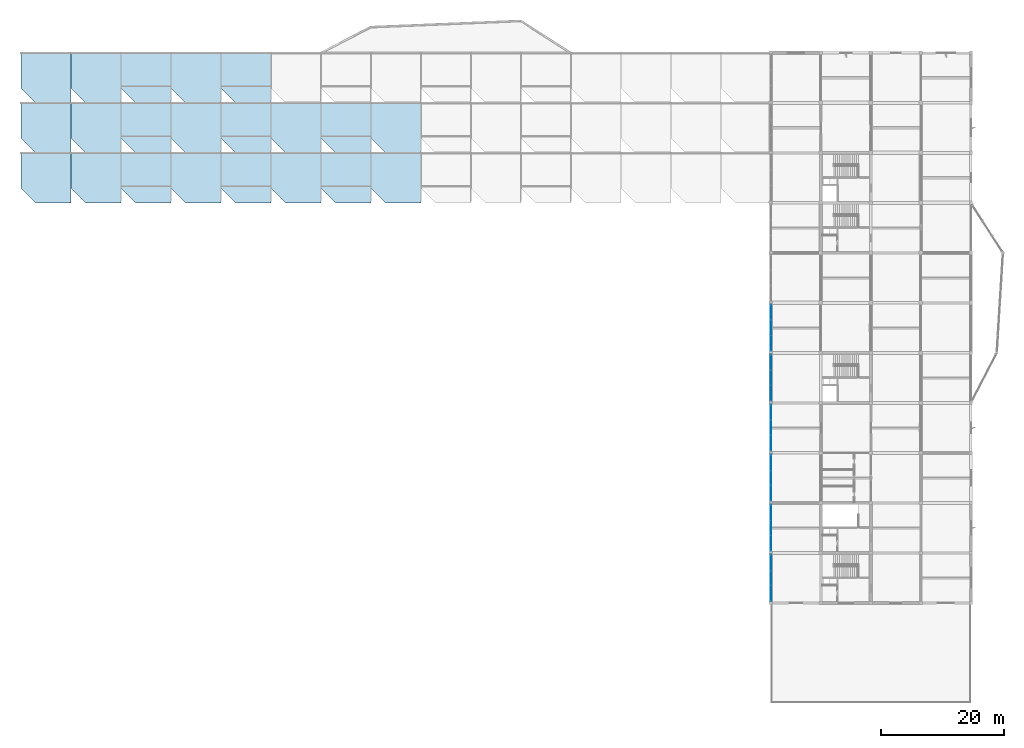
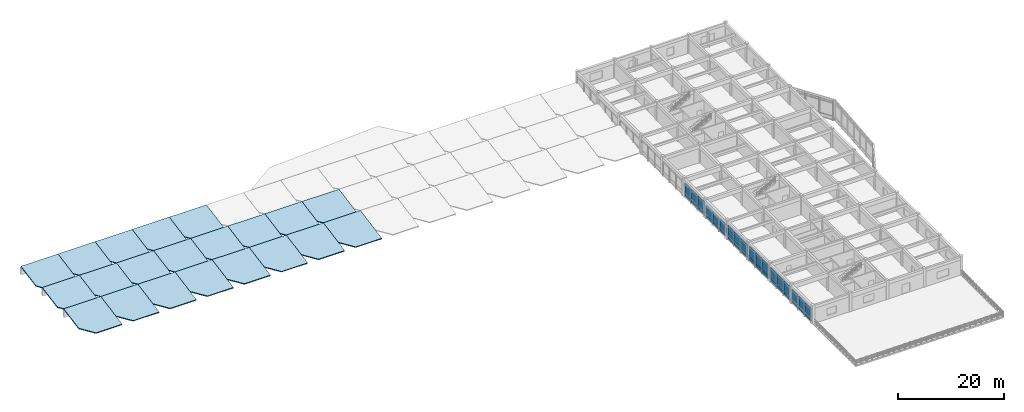
# One storey, part 22 of 33: 36 plates, 21 slabs, 6 elements without a shape of their own.
"""IFC4 building model written with IfcOpenShell, lengths in metres."""

from ifc_helpers import new_model, si_unit, direction, frame, origin, origin_2d, place, context, subcontext, project, spatial, polyline, rectangle, outline, extrude, material, layer, layer_set, type_object, element, aggregate, save


model = new_model("IFC4")

# Units and contexts
model_context = context("Model", 3, precision=1e-05, world=origin(), true_north=direction((0.0, 1.0)))
body_context = subcontext(model_context, "Body", "Model", "MODEL_VIEW")
ifc_project = project(units=[si_unit("LENGTHUNIT", "METRE"), si_unit("AREAUNIT", "SQUARE_METRE"), si_unit("VOLUMEUNIT", "CUBIC_METRE"), si_unit("PLANEANGLEUNIT", "RADIAN"), si_unit("MASSUNIT", "GRAM", prefix="KILO")], contexts=[model_context])

# Site, building, storey
site_placement = place(None, origin())
site = spatial("IfcSite", under=ifc_project, at=site_placement, CompositionType="ELEMENT")
building_placement = place(site_placement, origin())
building = spatial("IfcBuilding", under=site, at=building_placement, Name="Vaudrelin Polytechnic", CompositionType="ELEMENT")
storey_placement = place(building_placement, frame((0.0, 0.0, 27.3701171875)))
storey = spatial("IfcBuildingStorey", under=building, at=storey_placement, Name="L06", CompositionType="ELEMENT", Elevation=27.3701171875)

# Curtain wall, plates
ifc_material_1 = material(Name="Thermally broken anodised aluminium AA 6063-T6 and low-e triple glazing", Category="aluminium")
ifc_layer_1 = layer(ifc_material_1, 0.199951171875)
ifc_layer_set_1 = layer_set([ifc_layer_1], Name="Thermally broken anodised aluminium AA 6063-T6 and low-e triple glazing")
curtain_wall_type = type_object("IfcCurtainWallType", Name="CW-CW-LAB", PredefinedType="USERDEFINED", material=ifc_layer_set_1)
curtain_wall_1_placement = place(storey_placement, origin())
curtain_wall_1 = element("IfcCurtainWall", 1, at=curtain_wall_1_placement, inside=storey, type_object=curtain_wall_type, Name="Curtain wall L06 W_V4_00", ObjectType="CURTAIN WALL", PredefinedType="USERDEFINED")
ifc_material_2 = material(Name="Insulated ceramic-frit spandrel glass panel", Category="glass")
ifc_layer_2 = layer(ifc_material_2, 0.052001953125)
ifc_layer_set_2 = layer_set([ifc_layer_2], Name="Insulated ceramic-frit spandrel glass panel")
plate_type_1 = type_object("IfcPlateType", Name="PLT-GLZ-SPAND", PredefinedType="CURTAIN_PANEL", material=ifc_layer_set_2)
plate_1_placement = place(storey_placement, frame((137.699951171875, 33.931884765625, 0.08984375), z_axis=(0.0, 0.0, 1.0), x_axis=(0.0, 1.0, 0.0)))
plate_1 = element("IfcPlate", 2, at=plate_1_placement, type_object=plate_type_1, Name="W_V4_00 spandrel panel 1", PredefinedType="CURTAIN_PANEL", context=body_context, shape_type="SweptSolid", body=[
    extrude(rectangle(XDim=2.41796875, YDim=0.052001953125, at=origin_2d()), origin(), (0.0, 0.0, 1.0), 0.699951171875),
])
plate_2_placement = place(storey_placement, frame((137.699951171875, 36.449951171875, 0.08984375), z_axis=(0.0, 0.0, 1.0), x_axis=(0.0, 1.0, 0.0)))
plate_2 = element("IfcPlate", 3, at=plate_2_placement, type_object=plate_type_1, Name="W_V4_00 spandrel panel 2", PredefinedType="CURTAIN_PANEL", context=body_context, shape_type="SweptSolid", body=[
    extrude(rectangle(XDim=2.41796875, YDim=0.052001953125, at=origin_2d()), origin(), (0.0, 0.0, 1.0), 0.699951171875),
])
plate_3_placement = place(storey_placement, frame((137.699951171875, 38.968017578125, 0.08984375), z_axis=(0.0, 0.0, 1.0), x_axis=(0.0, 1.0, 0.0)))
plate_3 = element("IfcPlate", 4, at=plate_3_placement, type_object=plate_type_1, Name="W_V4_00 spandrel panel 3", PredefinedType="CURTAIN_PANEL", context=body_context, shape_type="SweptSolid", body=[
    extrude(rectangle(XDim=2.41796875, YDim=0.052001953125, at=origin_2d()), origin(), (0.0, 0.0, 1.0), 0.699951171875),
])

curtain_wall_2_placement = place(storey_placement, origin())
curtain_wall_2 = element("IfcCurtainWall", 5, at=curtain_wall_2_placement, inside=storey, type_object=curtain_wall_type, Name="Curtain wall L06 W_V4_01", ObjectType="CURTAIN WALL", PredefinedType="USERDEFINED")
plate_4_placement = place(storey_placement, frame((137.699951171875, 42.031982421875, 0.08984375), z_axis=(0.0, 0.0, 1.0), x_axis=(0.0, 1.0, 0.0)))
plate_4 = element("IfcPlate", 6, at=plate_4_placement, type_object=plate_type_1, Name="W_V4_01 spandrel panel 1", PredefinedType="CURTAIN_PANEL", context=body_context, shape_type="SweptSolid", body=[
    extrude(rectangle(XDim=2.41796875, YDim=0.052001953125, at=origin_2d()), origin(), (0.0, 0.0, 1.0), 0.699951171875),
])
plate_5_placement = place(storey_placement, frame((137.699951171875, 44.550048828125, 0.08984375), z_axis=(0.0, 0.0, 1.0), x_axis=(0.0, 1.0, 0.0)))
plate_5 = element("IfcPlate", 7, at=plate_5_placement, type_object=plate_type_1, Name="W_V4_01 spandrel panel 2", PredefinedType="CURTAIN_PANEL", context=body_context, shape_type="SweptSolid", body=[
    extrude(rectangle(XDim=2.41796875, YDim=0.052001953125, at=origin_2d()), origin(), (0.0, 0.0, 1.0), 0.699951171875),
])
plate_6_placement = place(storey_placement, frame((137.699951171875, 47.068115234375, 0.08984375), z_axis=(0.0, 0.0, 1.0), x_axis=(0.0, 1.0, 0.0)))
plate_6 = element("IfcPlate", 8, at=plate_6_placement, type_object=plate_type_1, Name="W_V4_01 spandrel panel 3", PredefinedType="CURTAIN_PANEL", context=body_context, shape_type="SweptSolid", body=[
    extrude(rectangle(XDim=2.41796875, YDim=0.052001953125, at=origin_2d()), origin(), (0.0, 0.0, 1.0), 0.699951171875),
])

curtain_wall_3_placement = place(storey_placement, origin())
curtain_wall_3 = element("IfcCurtainWall", 9, at=curtain_wall_3_placement, inside=storey, type_object=curtain_wall_type, Name="Curtain wall L06 W_V4_02", ObjectType="CURTAIN WALL", PredefinedType="USERDEFINED")
plate_7_placement = place(storey_placement, frame((137.699951171875, 50.132080078125, 0.08984375), z_axis=(0.0, 0.0, 1.0), x_axis=(0.0, 1.0, 0.0)))
plate_7 = element("IfcPlate", 10, at=plate_7_placement, type_object=plate_type_1, Name="W_V4_02 spandrel panel 1", PredefinedType="CURTAIN_PANEL", context=body_context, shape_type="SweptSolid", body=[
    extrude(rectangle(XDim=2.41796875, YDim=0.052001953125, at=origin_2d()), origin(), (0.0, 0.0, 1.0), 0.699951171875),
])
plate_8_placement = place(storey_placement, frame((137.699951171875, 52.64990234375, 0.08984375), z_axis=(0.0, 0.0, 1.0), x_axis=(0.0, 1.0, 0.0)))
plate_8 = element("IfcPlate", 11, at=plate_8_placement, type_object=plate_type_1, Name="W_V4_02 spandrel panel 2", PredefinedType="CURTAIN_PANEL", context=body_context, shape_type="SweptSolid", body=[
    extrude(rectangle(XDim=2.41796875, YDim=0.052001953125, at=origin_2d()), origin(), (0.0, 0.0, 1.0), 0.699951171875),
])
plate_9_placement = place(storey_placement, frame((137.699951171875, 55.16796875, 0.08984375), z_axis=(0.0, 0.0, 1.0), x_axis=(0.0, 1.0, 0.0)))
plate_9 = element("IfcPlate", 12, at=plate_9_placement, type_object=plate_type_1, Name="W_V4_02 spandrel panel 3", PredefinedType="CURTAIN_PANEL", context=body_context, shape_type="SweptSolid", body=[
    extrude(rectangle(XDim=2.41796875, YDim=0.052001953125, at=origin_2d()), origin(), (0.0, 0.0, 1.0), 0.699951171875),
])

curtain_wall_4_placement = place(storey_placement, origin())
curtain_wall_4 = element("IfcCurtainWall", 13, at=curtain_wall_4_placement, inside=storey, type_object=curtain_wall_type, Name="Curtain wall L06 W_V4_03", ObjectType="CURTAIN WALL", PredefinedType="USERDEFINED")
plate_10_placement = place(storey_placement, frame((137.699951171875, 58.23193359375, 0.08984375), z_axis=(0.0, 0.0, 1.0), x_axis=(0.0, 1.0, 0.0)))
plate_10 = element("IfcPlate", 14, at=plate_10_placement, type_object=plate_type_1, Name="W_V4_03 spandrel panel 1", PredefinedType="CURTAIN_PANEL", context=body_context, shape_type="SweptSolid", body=[
    extrude(rectangle(XDim=2.41796875, YDim=0.052001953125, at=origin_2d()), origin(), (0.0, 0.0, 1.0), 0.699951171875),
])
plate_11_placement = place(storey_placement, frame((137.699951171875, 60.75, 0.08984375), z_axis=(0.0, 0.0, 1.0), x_axis=(0.0, 1.0, 0.0)))
plate_11 = element("IfcPlate", 15, at=plate_11_placement, type_object=plate_type_1, Name="W_V4_03 spandrel panel 2", PredefinedType="CURTAIN_PANEL", context=body_context, shape_type="SweptSolid", body=[
    extrude(rectangle(XDim=2.41796875, YDim=0.052001953125, at=origin_2d()), origin(), (0.0, 0.0, 1.0), 0.699951171875),
])
plate_12_placement = place(storey_placement, frame((137.699951171875, 63.26806640625, 0.08984375), z_axis=(0.0, 0.0, 1.0), x_axis=(0.0, 1.0, 0.0)))
plate_12 = element("IfcPlate", 16, at=plate_12_placement, type_object=plate_type_1, Name="W_V4_03 spandrel panel 3", PredefinedType="CURTAIN_PANEL", context=body_context, shape_type="SweptSolid", body=[
    extrude(rectangle(XDim=2.41796875, YDim=0.052001953125, at=origin_2d()), origin(), (0.0, 0.0, 1.0), 0.699951171875),
])

curtain_wall_5_placement = place(storey_placement, origin())
curtain_wall_5 = element("IfcCurtainWall", 17, at=curtain_wall_5_placement, inside=storey, type_object=curtain_wall_type, Name="Curtain wall L06 W_V4_04", ObjectType="CURTAIN WALL", PredefinedType="USERDEFINED")
plate_13_placement = place(storey_placement, frame((137.699951171875, 66.33203125, 0.08984375), z_axis=(0.0, 0.0, 1.0), x_axis=(0.0, 1.0, 0.0)))
plate_13 = element("IfcPlate", 18, at=plate_13_placement, type_object=plate_type_1, Name="W_V4_04 spandrel panel 1", PredefinedType="CURTAIN_PANEL", context=body_context, shape_type="SweptSolid", body=[
    extrude(rectangle(XDim=2.41796875, YDim=0.052001953125, at=origin_2d()), origin(), (0.0, 0.0, 1.0), 0.699951171875),
])
plate_14_placement = place(storey_placement, frame((137.699951171875, 68.85009765625, 0.08984375), z_axis=(0.0, 0.0, 1.0), x_axis=(0.0, 1.0, 0.0)))
plate_14 = element("IfcPlate", 19, at=plate_14_placement, type_object=plate_type_1, Name="W_V4_04 spandrel panel 2", PredefinedType="CURTAIN_PANEL", context=body_context, shape_type="SweptSolid", body=[
    extrude(rectangle(XDim=2.41796875, YDim=0.052001953125, at=origin_2d()), origin(), (0.0, 0.0, 1.0), 0.699951171875),
])
plate_15_placement = place(storey_placement, frame((137.699951171875, 71.367919921875, 0.08984375), z_axis=(0.0, 0.0, 1.0), x_axis=(0.0, 1.0, 0.0)))
plate_15 = element("IfcPlate", 20, at=plate_15_placement, type_object=plate_type_1, Name="W_V4_04 spandrel panel 3", PredefinedType="CURTAIN_PANEL", context=body_context, shape_type="SweptSolid", body=[
    extrude(rectangle(XDim=2.41796875, YDim=0.052001953125, at=origin_2d()), origin(), (0.0, 0.0, 1.0), 0.699951171875),
])

curtain_wall_6_placement = place(storey_placement, origin())
curtain_wall_6 = element("IfcCurtainWall", 21, at=curtain_wall_6_placement, inside=storey, type_object=curtain_wall_type, Name="Curtain wall L06 W_V4_05", ObjectType="CURTAIN WALL", PredefinedType="USERDEFINED")
plate_16_placement = place(storey_placement, frame((137.699951171875, 74.431884765625, 0.08984375), z_axis=(0.0, 0.0, 1.0), x_axis=(0.0, 1.0, 0.0)))
plate_16 = element("IfcPlate", 22, at=plate_16_placement, type_object=plate_type_1, Name="W_V4_05 spandrel panel 1", PredefinedType="CURTAIN_PANEL", context=body_context, shape_type="SweptSolid", body=[
    extrude(rectangle(XDim=2.41796875, YDim=0.052001953125, at=origin_2d()), origin(), (0.0, 0.0, 1.0), 0.699951171875),
])
plate_17_placement = place(storey_placement, frame((137.699951171875, 76.949951171875, 0.08984375), z_axis=(0.0, 0.0, 1.0), x_axis=(0.0, 1.0, 0.0)))
plate_17 = element("IfcPlate", 23, at=plate_17_placement, type_object=plate_type_1, Name="W_V4_05 spandrel panel 2", PredefinedType="CURTAIN_PANEL", context=body_context, shape_type="SweptSolid", body=[
    extrude(rectangle(XDim=2.41796875, YDim=0.052001953125, at=origin_2d()), origin(), (0.0, 0.0, 1.0), 0.699951171875),
])
plate_18_placement = place(storey_placement, frame((137.699951171875, 79.468017578125, 0.08984375), z_axis=(0.0, 0.0, 1.0), x_axis=(0.0, 1.0, 0.0)))
plate_18 = element("IfcPlate", 24, at=plate_18_placement, type_object=plate_type_1, Name="W_V4_05 spandrel panel 3", PredefinedType="CURTAIN_PANEL", context=body_context, shape_type="SweptSolid", body=[
    extrude(rectangle(XDim=2.41796875, YDim=0.052001953125, at=origin_2d()), origin(), (0.0, 0.0, 1.0), 0.699951171875),
])

# Plate
ifc_material_3 = material(Name="Triple low-e argon insulated glazing unit", Category="glass")
ifc_layer_3 = layer(ifc_material_3, 0.0439453125)
ifc_layer_set_3 = layer_set([ifc_layer_3], Name="Triple low-e argon insulated glazing unit")
plate_type_2 = type_object("IfcPlateType", Name="PLT-GLZ-TRIPLE", PredefinedType="CURTAIN_PANEL", material=ifc_layer_set_3)
plate_19_placement = place(storey_placement, frame((137.699951171875, 33.931884765625, 0.89990234375), z_axis=(0.0, 0.0, 1.0), x_axis=(0.0, 1.0, 0.0)))
plate_19 = element("IfcPlate", 25, at=plate_19_placement, type_object=plate_type_2, Name="W_V4_00 vision panel 1", PredefinedType="CURTAIN_PANEL", context=body_context, shape_type="SweptSolid", body=[
    extrude(rectangle(XDim=2.41796875, YDim=0.0439453125, at=origin_2d()), origin(), (0.0, 0.0, 1.0), 2.412109375),
])

plate_20_placement = place(storey_placement, frame((137.699951171875, 36.449951171875, 0.89990234375), z_axis=(0.0, 0.0, 1.0), x_axis=(0.0, 1.0, 0.0)))
plate_20 = element("IfcPlate", 26, at=plate_20_placement, type_object=plate_type_2, Name="W_V4_00 vision panel 2", PredefinedType="CURTAIN_PANEL", context=body_context, shape_type="SweptSolid", body=[
    extrude(rectangle(XDim=2.41796875, YDim=0.0439453125, at=origin_2d()), origin(), (0.0, 0.0, 1.0), 2.412109375),
])

plate_21_placement = place(storey_placement, frame((137.699951171875, 38.968017578125, 0.89990234375), z_axis=(0.0, 0.0, 1.0), x_axis=(0.0, 1.0, 0.0)))
plate_21 = element("IfcPlate", 27, at=plate_21_placement, type_object=plate_type_2, Name="W_V4_00 vision panel 3", PredefinedType="CURTAIN_PANEL", context=body_context, shape_type="SweptSolid", body=[
    extrude(rectangle(XDim=2.41796875, YDim=0.0439453125, at=origin_2d()), origin(), (0.0, 0.0, 1.0), 2.412109375),
])

aggregate(curtain_wall_1, [plate_1, plate_19, plate_2, plate_20, plate_3, plate_21])

plate_22_placement = place(storey_placement, frame((137.699951171875, 42.031982421875, 0.89990234375), z_axis=(0.0, 0.0, 1.0), x_axis=(0.0, 1.0, 0.0)))
plate_22 = element("IfcPlate", 28, at=plate_22_placement, type_object=plate_type_2, Name="W_V4_01 vision panel 1", PredefinedType="CURTAIN_PANEL", context=body_context, shape_type="SweptSolid", body=[
    extrude(rectangle(XDim=2.41796875, YDim=0.0439453125, at=origin_2d()), origin(), (0.0, 0.0, 1.0), 2.511962890625),
])

plate_23_placement = place(storey_placement, frame((137.699951171875, 44.550048828125, 0.89990234375), z_axis=(0.0, 0.0, 1.0), x_axis=(0.0, 1.0, 0.0)))
plate_23 = element("IfcPlate", 29, at=plate_23_placement, type_object=plate_type_2, Name="W_V4_01 vision panel 2", PredefinedType="CURTAIN_PANEL", context=body_context, shape_type="SweptSolid", body=[
    extrude(rectangle(XDim=2.41796875, YDim=0.0439453125, at=origin_2d()), origin(), (0.0, 0.0, 1.0), 2.511962890625),
])

plate_24_placement = place(storey_placement, frame((137.699951171875, 47.068115234375, 0.89990234375), z_axis=(0.0, 0.0, 1.0), x_axis=(0.0, 1.0, 0.0)))
plate_24 = element("IfcPlate", 30, at=plate_24_placement, type_object=plate_type_2, Name="W_V4_01 vision panel 3", PredefinedType="CURTAIN_PANEL", context=body_context, shape_type="SweptSolid", body=[
    extrude(rectangle(XDim=2.41796875, YDim=0.0439453125, at=origin_2d()), origin(), (0.0, 0.0, 1.0), 2.511962890625),
])

aggregate(curtain_wall_2, [plate_4, plate_22, plate_5, plate_23, plate_6, plate_24])

plate_25_placement = place(storey_placement, frame((137.699951171875, 50.132080078125, 0.89990234375), z_axis=(0.0, 0.0, 1.0), x_axis=(0.0, 1.0, 0.0)))
plate_25 = element("IfcPlate", 31, at=plate_25_placement, type_object=plate_type_2, Name="W_V4_02 vision panel 1", PredefinedType="CURTAIN_PANEL", context=body_context, shape_type="SweptSolid", body=[
    extrude(rectangle(XDim=2.41796875, YDim=0.0439453125, at=origin_2d()), origin(), (0.0, 0.0, 1.0), 2.56201171875),
])

plate_26_placement = place(storey_placement, frame((137.699951171875, 52.64990234375, 0.89990234375), z_axis=(0.0, 0.0, 1.0), x_axis=(0.0, 1.0, 0.0)))
plate_26 = element("IfcPlate", 32, at=plate_26_placement, type_object=plate_type_2, Name="W_V4_02 vision panel 2", PredefinedType="CURTAIN_PANEL", context=body_context, shape_type="SweptSolid", body=[
    extrude(rectangle(XDim=2.41796875, YDim=0.0439453125, at=origin_2d()), origin(), (0.0, 0.0, 1.0), 2.56201171875),
])

plate_27_placement = place(storey_placement, frame((137.699951171875, 55.16796875, 0.89990234375), z_axis=(0.0, 0.0, 1.0), x_axis=(0.0, 1.0, 0.0)))
plate_27 = element("IfcPlate", 33, at=plate_27_placement, type_object=plate_type_2, Name="W_V4_02 vision panel 3", PredefinedType="CURTAIN_PANEL", context=body_context, shape_type="SweptSolid", body=[
    extrude(rectangle(XDim=2.41796875, YDim=0.0439453125, at=origin_2d()), origin(), (0.0, 0.0, 1.0), 2.56201171875),
])

aggregate(curtain_wall_3, [plate_7, plate_25, plate_8, plate_26, plate_9, plate_27])

plate_28_placement = place(storey_placement, frame((137.699951171875, 58.23193359375, 0.89990234375), z_axis=(0.0, 0.0, 1.0), x_axis=(0.0, 1.0, 0.0)))
plate_28 = element("IfcPlate", 34, at=plate_28_placement, type_object=plate_type_2, Name="W_V4_03 vision panel 1", PredefinedType="CURTAIN_PANEL", context=body_context, shape_type="SweptSolid", body=[
    extrude(rectangle(XDim=2.41796875, YDim=0.0439453125, at=origin_2d()), origin(), (0.0, 0.0, 1.0), 2.511962890625),
])

plate_29_placement = place(storey_placement, frame((137.699951171875, 60.75, 0.89990234375), z_axis=(0.0, 0.0, 1.0), x_axis=(0.0, 1.0, 0.0)))
plate_29 = element("IfcPlate", 35, at=plate_29_placement, type_object=plate_type_2, Name="W_V4_03 vision panel 2", PredefinedType="CURTAIN_PANEL", context=body_context, shape_type="SweptSolid", body=[
    extrude(rectangle(XDim=2.41796875, YDim=0.0439453125, at=origin_2d()), origin(), (0.0, 0.0, 1.0), 2.511962890625),
])

plate_30_placement = place(storey_placement, frame((137.699951171875, 63.26806640625, 0.89990234375), z_axis=(0.0, 0.0, 1.0), x_axis=(0.0, 1.0, 0.0)))
plate_30 = element("IfcPlate", 36, at=plate_30_placement, type_object=plate_type_2, Name="W_V4_03 vision panel 3", PredefinedType="CURTAIN_PANEL", context=body_context, shape_type="SweptSolid", body=[
    extrude(rectangle(XDim=2.41796875, YDim=0.0439453125, at=origin_2d()), origin(), (0.0, 0.0, 1.0), 2.511962890625),
])

aggregate(curtain_wall_4, [plate_10, plate_28, plate_11, plate_29, plate_12, plate_30])

plate_31_placement = place(storey_placement, frame((137.699951171875, 66.33203125, 0.89990234375), z_axis=(0.0, 0.0, 1.0), x_axis=(0.0, 1.0, 0.0)))
plate_31 = element("IfcPlate", 37, at=plate_31_placement, type_object=plate_type_2, Name="W_V4_04 vision panel 1", PredefinedType="CURTAIN_PANEL", context=body_context, shape_type="SweptSolid", body=[
    extrude(rectangle(XDim=2.41796875, YDim=0.0439453125, at=origin_2d()), origin(), (0.0, 0.0, 1.0), 2.2119140625),
])

plate_32_placement = place(storey_placement, frame((137.699951171875, 68.85009765625, 0.89990234375), z_axis=(0.0, 0.0, 1.0), x_axis=(0.0, 1.0, 0.0)))
plate_32 = element("IfcPlate", 38, at=plate_32_placement, type_object=plate_type_2, Name="W_V4_04 vision panel 2", PredefinedType="CURTAIN_PANEL", context=body_context, shape_type="SweptSolid", body=[
    extrude(rectangle(XDim=2.41796875, YDim=0.0439453125, at=origin_2d()), origin(), (0.0, 0.0, 1.0), 2.2119140625),
])

plate_33_placement = place(storey_placement, frame((137.699951171875, 71.367919921875, 0.89990234375), z_axis=(0.0, 0.0, 1.0), x_axis=(0.0, 1.0, 0.0)))
plate_33 = element("IfcPlate", 39, at=plate_33_placement, type_object=plate_type_2, Name="W_V4_04 vision panel 3", PredefinedType="CURTAIN_PANEL", context=body_context, shape_type="SweptSolid", body=[
    extrude(rectangle(XDim=2.41796875, YDim=0.0439453125, at=origin_2d()), origin(), (0.0, 0.0, 1.0), 2.2119140625),
])

aggregate(curtain_wall_5, [plate_13, plate_31, plate_14, plate_32, plate_15, plate_33])

plate_34_placement = place(storey_placement, frame((137.699951171875, 74.431884765625, 0.89990234375), z_axis=(0.0, 0.0, 1.0), x_axis=(0.0, 1.0, 0.0)))
plate_34 = element("IfcPlate", 40, at=plate_34_placement, type_object=plate_type_2, Name="W_V4_05 vision panel 1", PredefinedType="CURTAIN_PANEL", context=body_context, shape_type="SweptSolid", body=[
    extrude(rectangle(XDim=2.41796875, YDim=0.0439453125, at=origin_2d()), origin(), (0.0, 0.0, 1.0), 2.412109375),
])

plate_35_placement = place(storey_placement, frame((137.699951171875, 76.949951171875, 0.89990234375), z_axis=(0.0, 0.0, 1.0), x_axis=(0.0, 1.0, 0.0)))
plate_35 = element("IfcPlate", 41, at=plate_35_placement, type_object=plate_type_2, Name="W_V4_05 vision panel 2", PredefinedType="CURTAIN_PANEL", context=body_context, shape_type="SweptSolid", body=[
    extrude(rectangle(XDim=2.41796875, YDim=0.0439453125, at=origin_2d()), origin(), (0.0, 0.0, 1.0), 2.412109375),
])

plate_36_placement = place(storey_placement, frame((137.699951171875, 79.468017578125, 0.89990234375), z_axis=(0.0, 0.0, 1.0), x_axis=(0.0, 1.0, 0.0)))
plate_36 = element("IfcPlate", 42, at=plate_36_placement, type_object=plate_type_2, Name="W_V4_05 vision panel 3", PredefinedType="CURTAIN_PANEL", context=body_context, shape_type="SweptSolid", body=[
    extrude(rectangle(XDim=2.41796875, YDim=0.0439453125, at=origin_2d()), origin(), (0.0, 0.0, 1.0), 2.412109375),
])

aggregate(curtain_wall_6, [plate_16, plate_34, plate_17, plate_35, plate_18, plate_36])

# Slabs
ifc_material_4 = material(Name="Concrete 35 MPa", Category="concrete")
ifc_layer_4 = layer(ifc_material_4, 0.219970703125)
ifc_layer_set_4 = layer_set([ifc_layer_4], Name="Concrete 35 MPa")
slab_type = type_object("IfcSlabType", Name="SLB-SL-RF220", PredefinedType="ROOF", material=ifc_layer_set_4)
slab_1_placement = place(storey_placement, frame((16.199951171875, 99.60009765625, 0.664794921875), z_axis=(-2.34964e-07, -0.182230468959, 0.983255844723), x_axis=(0.701111963334, -0.70111179073, -0.129939492724)))
element("IfcSlab", 43, at=slab_1_placement, inside=storey, type_object=slab_type, Name="Studio sawtooth roof 2-12", PredefinedType="ROOF", context=body_context, shape_type="SweptSolid", body=[
    extrude(outline(polyline([(0.0, 0.0), (3.4233426469594566, 2.0122792321330962e-16), (7.419646603982344, 4.064357027235746), (1.5455047744928914, 9.84014298304469), (-4.133570596480055, 4.0643586231857105), (0.0, 0.0)])), origin(), (0.0, 0.0, -1.0), 0.219970703125),
])
slab_2_placement = place(storey_placement, frame((24.300048828125, 99.60009765625, 0.664794921875), z_axis=(-2.3497e-07, -0.182230468954, 0.983255844724), x_axis=(0.701075700338, -0.701146847733, -0.12994598997)))
element("IfcSlab", 44, at=slab_2_placement, inside=storey, type_object=slab_type, Name="Studio sawtooth roof 3-12", PredefinedType="ROOF", context=body_context, shape_type="SweptSolid", body=[
    extrude(outline(polyline([(0.0, 0.0), (3.4231714814730574, 1.3877787807814457e-16), (7.419268741187675, 4.0645602532941645), (1.5448331927452388, 9.840047473215385), (-4.133777283356696, 4.064148405945908), (0.0, 0.0)])), origin(), (0.0, 0.0, -1.0), 0.219970703125),
])
slab_3_placement = place(storey_placement, frame((32.39990234375, 99.60009765625, 0.664794921875), z_axis=(-2.34964e-07, -0.182230468959, 0.983255844723), x_axis=(0.701111963334, -0.70111179073, -0.129939492724)))
element("IfcSlab", 45, at=slab_3_placement, inside=storey, type_object=slab_type, Name="Studio sawtooth roof 4-12", PredefinedType="ROOF", context=body_context, shape_type="SweptSolid", body=[
    extrude(outline(polyline([(0.0, 0.0), (3.4233426469594566, 2.0122792321330962e-16), (7.419646603982344, 4.064357027235746), (1.5455047744928914, 9.84014298304469), (-4.133570596480055, 4.0643586231857105), (0.0, 0.0)])), origin(), (0.0, 0.0, -1.0), 0.219970703125),
])
slab_4_placement = place(storey_placement, frame((40.5, 99.60009765625, 0.664794921875), z_axis=(-2.34963e-07, -0.182230468952, 0.983255844725), x_axis=(0.701075700338, -0.701146847733, -0.129945989974)))
element("IfcSlab", 46, at=slab_4_placement, inside=storey, type_object=slab_type, Name="Studio sawtooth roof 5-12", PredefinedType="ROOF", context=body_context, shape_type="SweptSolid", body=[
    extrude(outline(polyline([(0.0, 0.0), (3.423171481473058, -7.008282842946301e-16), (7.419439902247329, 4.064734346764556), (1.545004353804892, 9.840221566685779), (-4.133777283356696, 4.064148405945909), (0.0, 0.0)])), origin(), (0.0, 0.0, -1.0), 0.219970703125),
])
slab_5_placement = place(storey_placement, frame((48.60009765625, 99.60009765625, 0.664794921875), z_axis=(-2.3497e-07, -0.182230468954, 0.983255844724), x_axis=(0.701075700338, -0.701146847733, -0.12994598997)))
element("IfcSlab", 47, at=slab_5_placement, inside=storey, type_object=slab_type, Name="Studio sawtooth roof 6-12", PredefinedType="ROOF", context=body_context, shape_type="SweptSolid", body=[
    extrude(outline(polyline([(0.0, 0.0), (3.4231714814730574, 1.3877787807814457e-16), (7.419268741187675, 4.0645602532941645), (1.5448331927452388, 9.840047473215385), (-4.133777283356696, 4.064148405945908), (0.0, 0.0)])), origin(), (0.0, 0.0, -1.0), 0.219970703125),
])
slab_6_placement = place(storey_placement, frame((56.699951171875, 99.60009765625, 0.664794921875), z_axis=(-2.34964e-07, -0.182230468959, 0.983255844723), x_axis=(0.701111963334, -0.70111179073, -0.129939492724)))
element("IfcSlab", 48, at=slab_6_placement, inside=storey, type_object=slab_type, Name="Studio sawtooth roof 7-12", PredefinedType="ROOF", context=body_context, shape_type="SweptSolid", body=[
    extrude(outline(polyline([(0.0, 0.0), (3.4233426469594566, 2.0122792321330962e-16), (7.419646603982344, 4.064357027235746), (1.5455047744928914, 9.84014298304469), (-4.133570596480055, 4.0643586231857105), (0.0, 0.0)])), origin(), (0.0, 0.0, -1.0), 0.219970703125),
])
slab_7_placement = place(storey_placement, frame((64.800048828125, 99.60009765625, 0.664794921875), z_axis=(-2.3497e-07, -0.182230468954, 0.983255844724), x_axis=(0.701075700338, -0.701146847733, -0.12994598997)))
element("IfcSlab", 49, at=slab_7_placement, inside=storey, type_object=slab_type, Name="Studio sawtooth roof 8-12", PredefinedType="ROOF", context=body_context, shape_type="SweptSolid", body=[
    extrude(outline(polyline([(0.0, 0.0), (3.4231714814730574, 1.3877787807814457e-16), (7.419268741187675, 4.0645602532941645), (1.5448331927452388, 9.840047473215385), (-4.133777283356696, 4.064148405945908), (0.0, 0.0)])), origin(), (0.0, 0.0, -1.0), 0.219970703125),
])
slab_8_placement = place(storey_placement, frame((72.89990234375, 99.60009765625, 0.664794921875), z_axis=(-2.34964e-07, -0.182230468959, 0.983255844723), x_axis=(0.701111963334, -0.70111179073, -0.129939492724)))
element("IfcSlab", 50, at=slab_8_placement, inside=storey, type_object=slab_type, Name="Studio sawtooth roof 9-12", PredefinedType="ROOF", context=body_context, shape_type="SweptSolid", body=[
    extrude(outline(polyline([(0.0, 0.0), (3.4233426469594566, 2.0122792321330962e-16), (7.419646603982344, 4.064357027235746), (1.5455047744928914, 9.84014298304469), (-4.133570596480055, 4.0643586231857105), (0.0, 0.0)])), origin(), (0.0, 0.0, -1.0), 0.219970703125),
])
slab_9_placement = place(storey_placement, frame((16.199951171875, 107.699951171875, 0.664794921875), z_axis=(1.786331e-06, -0.182235200167, 0.983254967858), x_axis=(0.701147020379, -0.701077012695, -0.129937977837)))
element("IfcSlab", 51, at=slab_9_placement, inside=storey, type_object=slab_type, Name="Studio sawtooth roof 2-13", PredefinedType="ROOF", context=body_context, shape_type="SweptSolid", body=[
    extrude(outline(polyline([(0.0, 0.0), (3.4231714813858316, -1.3183898417423734e-16), (7.4196752618501, 4.064160539938146), (1.545988573395514, 9.840066984811262), (-4.133370763060711, 4.064561849501894), (0.0, 0.0)])), origin(), (0.0, 0.0, -1.0), 0.219970703125),
])
slab_10_placement = place(storey_placement, frame((24.300048828125, 107.699951171875, 0.664794921875), z_axis=(1.786379e-06, -0.182235200205, 0.983254967851), x_axis=(0.701110759075, -0.70111207148, -0.129944475583)))
element("IfcSlab", 52, at=slab_10_placement, inside=storey, type_object=slab_type, Name="Studio sawtooth roof 3-13", PredefinedType="ROOF", context=body_context, shape_type="SweptSolid", body=[
    extrude(outline(polyline([(0.0, 0.0), (3.423000307340379, -2.983724378680108e-16), (7.419297400145205, 4.064363776496291), (1.5453169861218439, 9.839971508131583), (-4.133577460615883, 4.064351642075238), (0.0, 0.0)])), origin(), (0.0, 0.0, -1.0), 0.219970703125),
])
slab_11_placement = place(storey_placement, frame((32.39990234375, 107.699951171875, 0.664794921875), z_axis=(1.786331e-06, -0.182235200167, 0.983254967858), x_axis=(0.701147020379, -0.701077012695, -0.129937977837)))
element("IfcSlab", 53, at=slab_11_placement, inside=storey, type_object=slab_type, Name="Studio sawtooth roof 4-13", PredefinedType="ROOF", context=body_context, shape_type="SweptSolid", body=[
    extrude(outline(polyline([(0.0, 0.0), (3.4231714813858316, -1.3183898417423734e-16), (7.4196752618501, 4.064160539938146), (1.545988573395514, 9.840066984811262), (-4.133370763060711, 4.064561849501894), (0.0, 0.0)])), origin(), (0.0, 0.0, -1.0), 0.219970703125),
])
slab_12_placement = place(storey_placement, frame((40.5, 107.699951171875, 0.664794921875), z_axis=(1.786323e-06, -0.182235200221, 0.983254967848), x_axis=(0.701110759075, -0.701112071485, -0.129944475556)))
element("IfcSlab", 54, at=slab_12_placement, inside=storey, type_object=slab_type, Name="Studio sawtooth roof 5-13", PredefinedType="ROOF", context=body_context, shape_type="SweptSolid", body=[
    extrude(outline(polyline([(0.0, 0.0), (3.423000307340378, 2.706168622523819e-16), (7.419468569764118, 4.064537861551185), (1.545488155740753, 9.840145593186474), (-4.133577460615886, 4.064351642075235), (0.0, 0.0)])), origin(), (0.0, 0.0, -1.0), 0.219970703125),
])
slab_13_placement = place(storey_placement, frame((48.60009765625, 107.699951171875, 0.664794921875), z_axis=(1.786379e-06, -0.182235200205, 0.983254967851), x_axis=(0.701110759075, -0.70111207148, -0.129944475583)))
element("IfcSlab", 55, at=slab_13_placement, inside=storey, type_object=slab_type, Name="Studio sawtooth roof 6-13", PredefinedType="ROOF", context=body_context, shape_type="SweptSolid", body=[
    extrude(outline(polyline([(0.0, 0.0), (3.423000307340379, -2.983724378680108e-16), (7.419297400145205, 4.064363776496291), (1.5453169861218439, 9.839971508131583), (-4.133577460615883, 4.064351642075238), (0.0, 0.0)])), origin(), (0.0, 0.0, -1.0), 0.219970703125),
])
slab_14_placement = place(storey_placement, frame((56.699951171875, 107.699951171875, 0.664794921875), z_axis=(1.786331e-06, -0.182235200167, 0.983254967858), x_axis=(0.701147020379, -0.701077012695, -0.129937977837)))
element("IfcSlab", 56, at=slab_14_placement, inside=storey, type_object=slab_type, Name="Studio sawtooth roof 7-13", PredefinedType="ROOF", context=body_context, shape_type="SweptSolid", body=[
    extrude(outline(polyline([(0.0, 0.0), (3.4231714813858316, -1.3183898417423734e-16), (7.4196752618501, 4.064160539938146), (1.545988573395514, 9.840066984811262), (-4.133370763060711, 4.064561849501894), (0.0, 0.0)])), origin(), (0.0, 0.0, -1.0), 0.219970703125),
])
slab_15_placement = place(storey_placement, frame((64.800048828125, 107.699951171875, 0.664794921875), z_axis=(1.786379e-06, -0.182235200205, 0.983254967851), x_axis=(0.701110759075, -0.70111207148, -0.129944475583)))
element("IfcSlab", 57, at=slab_15_placement, inside=storey, type_object=slab_type, Name="Studio sawtooth roof 8-13", PredefinedType="ROOF", context=body_context, shape_type="SweptSolid", body=[
    extrude(outline(polyline([(0.0, 0.0), (3.423000307340379, -2.983724378680108e-16), (7.419297400145205, 4.064363776496291), (1.5453169861218439, 9.839971508131583), (-4.133577460615883, 4.064351642075238), (0.0, 0.0)])), origin(), (0.0, 0.0, -1.0), 0.219970703125),
])
slab_16_placement = place(storey_placement, frame((72.89990234375, 107.699951171875, 0.664794921875), z_axis=(1.786331e-06, -0.182235200167, 0.983254967858), x_axis=(0.701147020379, -0.701077012695, -0.129937977837)))
element("IfcSlab", 58, at=slab_16_placement, inside=storey, type_object=slab_type, Name="Studio sawtooth roof 9-13", PredefinedType="ROOF", context=body_context, shape_type="SweptSolid", body=[
    extrude(outline(polyline([(0.0, 0.0), (3.4231714813858316, -1.3183898417423734e-16), (7.4196752618501, 4.064160539938146), (1.545988573395514, 9.840066984811262), (-4.133370763060711, 4.064561849501894), (0.0, 0.0)])), origin(), (0.0, 0.0, -1.0), 0.219970703125),
])
slab_17_placement = place(storey_placement, frame((16.199951171875, 115.800048828125, 0.664794921875), z_axis=(-2.34964e-07, -0.182230468959, 0.983255844723), x_axis=(0.701111963334, -0.70111179073, -0.129939492724)))
element("IfcSlab", 59, at=slab_17_placement, inside=storey, type_object=slab_type, Name="Studio sawtooth roof 2-14", PredefinedType="ROOF", context=body_context, shape_type="SweptSolid", body=[
    extrude(outline(polyline([(0.0, 0.0), (3.4233426469594566, 2.0122792321330962e-16), (7.419646603982344, 4.064357027235746), (1.5455047744928914, 9.84014298304469), (-4.133570596480055, 4.0643586231857105), (0.0, 0.0)])), origin(), (0.0, 0.0, -1.0), 0.219970703125),
])
slab_18_placement = place(storey_placement, frame((24.300048828125, 115.800048828125, 0.664794921875), z_axis=(-2.3497e-07, -0.182230468954, 0.983255844724), x_axis=(0.701075700338, -0.701146847733, -0.12994598997)))
element("IfcSlab", 60, at=slab_18_placement, inside=storey, type_object=slab_type, Name="Studio sawtooth roof 3-14", PredefinedType="ROOF", context=body_context, shape_type="SweptSolid", body=[
    extrude(outline(polyline([(0.0, 0.0), (3.4231714814730574, 1.3877787807814457e-16), (7.419268741187675, 4.0645602532941645), (1.5448331927452388, 9.840047473215385), (-4.133777283356696, 4.064148405945908), (0.0, 0.0)])), origin(), (0.0, 0.0, -1.0), 0.219970703125),
])
slab_19_placement = place(storey_placement, frame((32.39990234375, 115.800048828125, 0.664794921875), z_axis=(-2.34964e-07, -0.182230468959, 0.983255844723), x_axis=(0.701111963334, -0.70111179073, -0.129939492724)))
element("IfcSlab", 61, at=slab_19_placement, inside=storey, type_object=slab_type, Name="Studio sawtooth roof 4-14", PredefinedType="ROOF", context=body_context, shape_type="SweptSolid", body=[
    extrude(outline(polyline([(0.0, 0.0), (3.4233426469594566, 2.0122792321330962e-16), (7.419646603982344, 4.064357027235746), (1.5455047744928914, 9.84014298304469), (-4.133570596480055, 4.0643586231857105), (0.0, 0.0)])), origin(), (0.0, 0.0, -1.0), 0.219970703125),
])
slab_20_placement = place(storey_placement, frame((40.5, 115.800048828125, 0.664794921875), z_axis=(-2.34963e-07, -0.182230468952, 0.983255844725), x_axis=(0.701075700338, -0.701146847733, -0.129945989974)))
element("IfcSlab", 62, at=slab_20_placement, inside=storey, type_object=slab_type, Name="Studio sawtooth roof 5-14", PredefinedType="ROOF", context=body_context, shape_type="SweptSolid", body=[
    extrude(outline(polyline([(0.0, 0.0), (3.423171481473058, -7.008282842946301e-16), (7.419439902247329, 4.064734346764556), (1.545004353804892, 9.840221566685779), (-4.133777283356696, 4.064148405945909), (0.0, 0.0)])), origin(), (0.0, 0.0, -1.0), 0.219970703125),
])
slab_21_placement = place(storey_placement, frame((48.60009765625, 115.800048828125, 0.664794921875), z_axis=(-2.3497e-07, -0.182230468954, 0.983255844724), x_axis=(0.701075700338, -0.701146847733, -0.12994598997)))
element("IfcSlab", 63, at=slab_21_placement, inside=storey, type_object=slab_type, Name="Studio sawtooth roof 6-14", PredefinedType="ROOF", context=body_context, shape_type="SweptSolid", body=[
    extrude(outline(polyline([(0.0, 0.0), (3.4231714814730574, 1.3877787807814457e-16), (7.419268741187675, 4.0645602532941645), (1.5448331927452388, 9.840047473215385), (-4.133777283356696, 4.064148405945908), (0.0, 0.0)])), origin(), (0.0, 0.0, -1.0), 0.219970703125),
])

save(model, "model.ifc")
